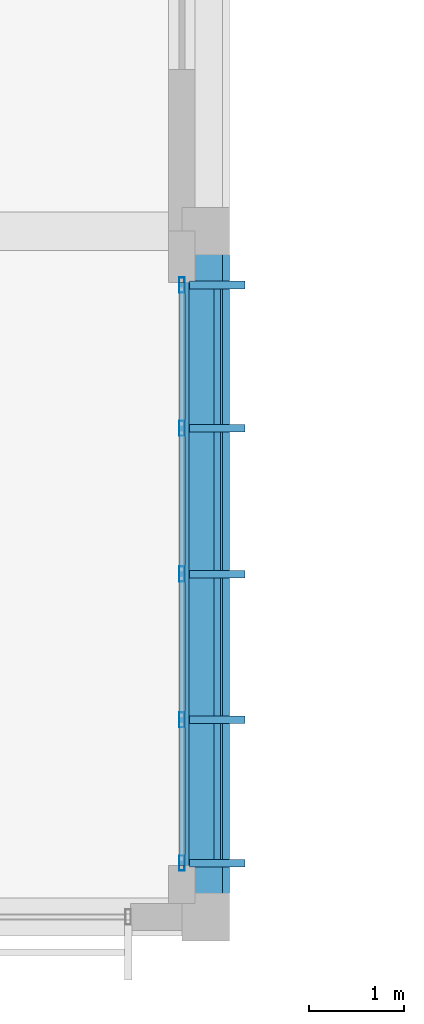
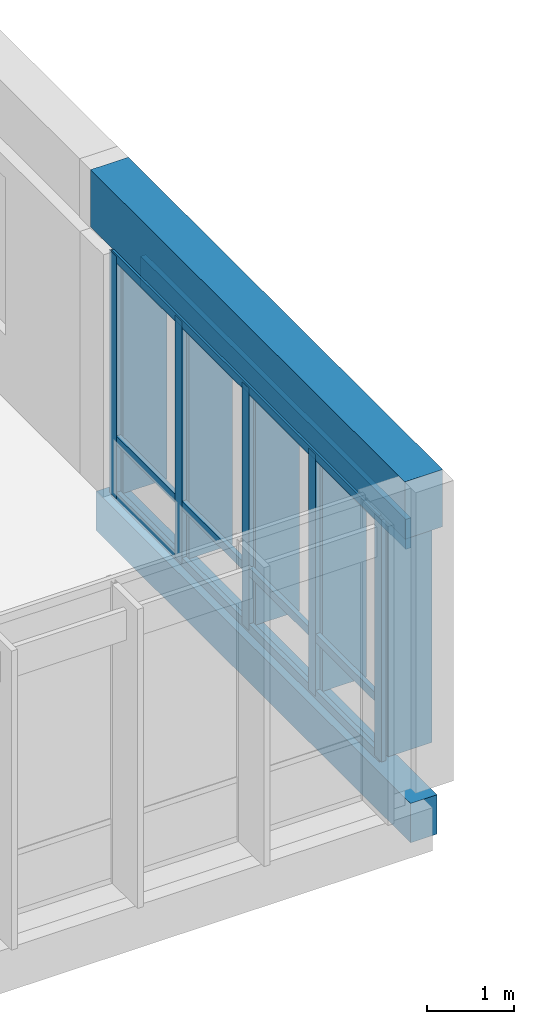
# One storey, part 27 of 182: 14 members, 2 beams, 1 element without a shape of its own.
"""IFC4 building model written with IfcOpenShell, lengths in metres."""

from ifc_helpers import new_model, si_unit, direction, frame, origin, origin_2d, place, context, subcontext, project, spatial, rectangle, hollow_rectangle, extrude, material, material_profile, profile_set, type_object, element, aggregate, save


model = new_model("IFC4")

# Units and contexts
model_context = context("Model", 3, precision=1e-05, world=origin(), true_north=direction((0.0, 1.0)))
body_context = subcontext(model_context, "Body", "Model", "MODEL_VIEW")
ifc_project = project(units=[si_unit("LENGTHUNIT", "METRE"), si_unit("AREAUNIT", "SQUARE_METRE"), si_unit("VOLUMEUNIT", "CUBIC_METRE"), si_unit("PLANEANGLEUNIT", "RADIAN"), si_unit("MASSUNIT", "GRAM", prefix="KILO")], contexts=[model_context])

# Site, building, storey
site_placement = place(None, origin())
site = spatial("IfcSite", under=ifc_project, at=site_placement, CompositionType="ELEMENT")
building_placement = place(site_placement, origin())
building = spatial("IfcBuilding", under=site, at=building_placement, Name="Chiffa Square Polytechnic", CompositionType="ELEMENT")
storey_placement = place(building_placement, frame((0.0, 0.0, 9.60009765625)))
storey = spatial("IfcBuildingStorey", under=building, at=storey_placement, Name="L02", CompositionType="ELEMENT", Elevation=9.60009765625)

# Beams
ifc_material_1 = material(Name="Concrete C35/45", Category="concrete")
ifc_material_profile_1 = material_profile(ifc_material_1, rectangle(XDim=0.35009765625, YDim=0.550048828125, at=origin_2d()), Name="RC 350x550")
ifc_profile_set_1 = profile_set([ifc_material_profile_1], Name="Concrete C35/45")
beam_type_1 = type_object("IfcBeamType", Name="BM-RC-350X550", PredefinedType="BEAM", material=ifc_profile_set_1)
beam_1_placement = place(storey_placement, frame((48.0, 0.0, -0.59521484375), z_axis=(0.0, 1.0, 0.0), x_axis=(-1.0, 0.0, 0.0)))
element("IfcBeam", 1, at=beam_1_placement, inside=storey, type_object=beam_type_1, Name="Primary floor girder BM-V3-L02-Y-0480-0000", PredefinedType="BEAM", context=body_context, shape_type="SweptSolid", body=[
    extrude(rectangle(XDim=0.35009765625, YDim=0.550048828125, at=origin_2d()), origin(), (0.0, 0.0, 1.0), 7.199951171875),
])
ifc_material_2 = material(Name="Concrete C40/50", Category="concrete")
ifc_material_profile_2 = material_profile(ifc_material_2, rectangle(XDim=0.5, YDim=0.800048828125, at=origin_2d()), Name="RC 500x800")
ifc_profile_set_2 = profile_set([ifc_material_profile_2], Name="Concrete C40/50")
beam_type_2 = type_object("IfcBeamType", Name="BM-RC-500X800", PredefinedType="BEAM", material=ifc_profile_set_2)
beam_2_placement = place(storey_placement, frame((48.0, 0.0, 3.7998046875), z_axis=(0.0, 1.0, 0.0), x_axis=(-1.0, 0.0, 0.0)))
element("IfcBeam", 2, at=beam_2_placement, inside=storey, type_object=beam_type_2, Name="Lecture east eave ring beam BM-V3-EAVTIE-E1", PredefinedType="BEAM", context=body_context, shape_type="SweptSolid", body=[
    extrude(rectangle(XDim=0.5, YDim=0.800048828125, at=origin_2d()), origin(), (0.0, 0.0, 1.0), 7.199951171875),
])

# Curtain wall, members
ifc_material_3 = material(Name="Aluminium EN AW-6060 T66 and glulam shading", Category="wood")
curtain_wall_type = type_object("IfcCurtainWallType", Name="CW-VERT-600X440", PredefinedType="USERDEFINED", material=ifc_material_3)
curtain_wall_placement = place(storey_placement, origin())
curtain_wall = element("IfcCurtainWall", 3, at=curtain_wall_placement, inside=storey, type_object=curtain_wall_type, Name="Curtain wall CW-V3-L02-169", ObjectType="CURTAIN WALL", PredefinedType="USERDEFINED")
ifc_material_4 = material(Name="Aluminium EN AW-6060 T66", Category="aluminium")
ifc_material_profile_3 = material_profile(ifc_material_4, hollow_rectangle(XDim=0.06005859375, YDim=0.159912109375, WallThickness=0.00390625, at=origin_2d()), Name="ALU 60x160x4")
ifc_profile_set_3 = profile_set([ifc_material_profile_3], Name="Aluminium EN AW-6060 T66")
member_type_1 = type_object("IfcMemberType", Name="CWM-ALU-65X150", PredefinedType="MULLION", material=ifc_profile_set_3)
member_1_placement = place(storey_placement, frame((47.75, 0.56494140625, 0.0), z_axis=(0.0, 0.0, 1.0), x_axis=(1.0, 0.0, 0.0)))
member_1 = element("IfcMember", 4, at=member_1_placement, type_object=member_type_1, Name="Curtain wall mullion CW-V3-L02-169-M00", PredefinedType="MULLION", context=body_context, shape_type="SweptSolid", body=[
    extrude(hollow_rectangle(XDim=0.06005859375, YDim=0.159912109375, WallThickness=0.00390625, at=origin_2d()), origin(), (0.0, 0.0, 1.0), 3.385009765625),
])
member_2_placement = place(storey_placement, frame((47.75, 2.070068359375, 0.0), z_axis=(0.0, 0.0, 1.0), x_axis=(1.0, 0.0, 0.0)))
member_2 = element("IfcMember", 5, at=member_2_placement, type_object=member_type_1, Name="Curtain wall mullion CW-V3-L02-169-M01", PredefinedType="MULLION", context=body_context, shape_type="SweptSolid", body=[
    extrude(hollow_rectangle(XDim=0.06005859375, YDim=0.159912109375, WallThickness=0.00390625, at=origin_2d()), origin(), (0.0, 0.0, 1.0), 3.385009765625),
])
member_3_placement = place(storey_placement, frame((47.75, 3.60009765625, 0.0), z_axis=(0.0, 0.0, 1.0), x_axis=(1.0, 0.0, 0.0)))
member_3 = element("IfcMember", 6, at=member_3_placement, type_object=member_type_1, Name="Curtain wall mullion CW-V3-L02-169-M02", PredefinedType="MULLION", context=body_context, shape_type="SweptSolid", body=[
    extrude(hollow_rectangle(XDim=0.06005859375, YDim=0.159912109375, WallThickness=0.00390625, at=origin_2d()), origin(), (0.0, 0.0, 1.0), 3.385009765625),
])
member_4_placement = place(storey_placement, frame((47.75, 5.1298828125, 0.0), z_axis=(0.0, 0.0, 1.0), x_axis=(1.0, 0.0, 0.0)))
member_4 = element("IfcMember", 7, at=member_4_placement, type_object=member_type_1, Name="Curtain wall mullion CW-V3-L02-169-M03", PredefinedType="MULLION", context=body_context, shape_type="SweptSolid", body=[
    extrude(hollow_rectangle(XDim=0.06005859375, YDim=0.159912109375, WallThickness=0.00390625, at=origin_2d()), origin(), (0.0, 0.0, 1.0), 3.385009765625),
])
member_5_placement = place(storey_placement, frame((47.75, 6.635009765625, 0.0), z_axis=(0.0, 0.0, 1.0), x_axis=(1.0, 0.0, 0.0)))
member_5 = element("IfcMember", 8, at=member_5_placement, type_object=member_type_1, Name="Curtain wall mullion CW-V3-L02-169-M04", PredefinedType="MULLION", context=body_context, shape_type="SweptSolid", body=[
    extrude(hollow_rectangle(XDim=0.06005859375, YDim=0.159912109375, WallThickness=0.00390625, at=origin_2d()), origin(), (0.0, 0.0, 1.0), 3.385009765625),
])
ifc_material_5 = material(Name="Glulam GL28h", Category="wood")
ifc_material_profile_4 = material_profile(ifc_material_5, rectangle(XDim=0.080078125, YDim=0.580078125, at=origin_2d()), Name="GL28h 80x580")
ifc_profile_set_4 = profile_set([ifc_material_profile_4], Name="Glulam GL28h")
member_type_2 = type_object("IfcMemberType", Name="CWM-GL-80X580", PredefinedType="MULLION", material=ifc_profile_set_4)
member_6_placement = place(storey_placement, frame((48.1220703125, 0.56494140625, 0.010009765625), z_axis=(0.0, 0.0, 1.0), x_axis=(0.0, 1.0, 0.0)))
member_6 = element("IfcMember", 9, at=member_6_placement, type_object=member_type_2, Name="Exterior glulam solar fin CW-V3-L02-169-FN00", PredefinedType="MULLION", context=body_context, shape_type="SweptSolid", body=[
    extrude(rectangle(XDim=0.080078125, YDim=0.580078125, at=origin_2d()), origin(), (0.0, 0.0, 1.0), 3.364990234375),
])
member_7_placement = place(storey_placement, frame((48.1220703125, 2.070068359375, 0.010009765625), z_axis=(0.0, 0.0, 1.0), x_axis=(0.0, 1.0, 0.0)))
member_7 = element("IfcMember", 10, at=member_7_placement, type_object=member_type_2, Name="Exterior glulam solar fin CW-V3-L02-169-FN01", PredefinedType="MULLION", context=body_context, shape_type="SweptSolid", body=[
    extrude(rectangle(XDim=0.080078125, YDim=0.580078125, at=origin_2d()), origin(), (0.0, 0.0, 1.0), 3.364990234375),
])
member_8_placement = place(storey_placement, frame((48.1220703125, 3.60009765625, 0.010009765625), z_axis=(0.0, 0.0, 1.0), x_axis=(0.0, 1.0, 0.0)))
member_8 = element("IfcMember", 11, at=member_8_placement, type_object=member_type_2, Name="Exterior glulam solar fin CW-V3-L02-169-FN02", PredefinedType="MULLION", context=body_context, shape_type="SweptSolid", body=[
    extrude(rectangle(XDim=0.080078125, YDim=0.580078125, at=origin_2d()), origin(), (0.0, 0.0, 1.0), 3.364990234375),
])
member_9_placement = place(storey_placement, frame((48.1220703125, 5.1298828125, 0.010009765625), z_axis=(0.0, 0.0, 1.0), x_axis=(0.0, 1.0, 0.0)))
member_9 = element("IfcMember", 12, at=member_9_placement, type_object=member_type_2, Name="Exterior glulam solar fin CW-V3-L02-169-FN03", PredefinedType="MULLION", context=body_context, shape_type="SweptSolid", body=[
    extrude(rectangle(XDim=0.080078125, YDim=0.580078125, at=origin_2d()), origin(), (0.0, 0.0, 1.0), 3.364990234375),
])
member_10_placement = place(storey_placement, frame((48.1220703125, 6.635009765625, 0.010009765625), z_axis=(0.0, 0.0, 1.0), x_axis=(0.0, 1.0, 0.0)))
member_10 = element("IfcMember", 13, at=member_10_placement, type_object=member_type_2, Name="Exterior glulam solar fin CW-V3-L02-169-FN04", PredefinedType="MULLION", context=body_context, shape_type="SweptSolid", body=[
    extrude(rectangle(XDim=0.080078125, YDim=0.580078125, at=origin_2d()), origin(), (0.0, 0.0, 1.0), 3.364990234375),
])
ifc_material_profile_5 = material_profile(ifc_material_4, hollow_rectangle(XDim=0.06005859375, YDim=0.1201171875, WallThickness=0.00390625, at=origin_2d()), Name="ALU 60x120x4")
ifc_profile_set_5 = profile_set([ifc_material_profile_5], Name="Aluminium EN AW-6060 T66")
member_type_3 = type_object("IfcMemberType", Name="CWT-ALU-65X120", PredefinedType="USERDEFINED", material=ifc_profile_set_5)
member_11_placement = place(storey_placement, frame((47.75, 0.5380859375, 0.02978515625), z_axis=(0.0, 1.0, 0.0), x_axis=(-1.0, 0.0, 0.0)))
member_11 = element("IfcMember", 14, at=member_11_placement, type_object=member_type_3, Name="Curtain wall transom CW-V3-L02-169-T01", ObjectType="TRANSOM", PredefinedType="USERDEFINED", context=body_context, shape_type="SweptSolid", body=[
    extrude(hollow_rectangle(XDim=0.06005859375, YDim=0.1201171875, WallThickness=0.00390625, at=origin_2d()), origin(), (0.0, 0.0, 1.0), 6.1240234375),
])
member_12_placement = place(storey_placement, frame((47.75, 0.5380859375, 0.81982421875), z_axis=(0.0, 1.0, 0.0), x_axis=(-1.0, 0.0, 0.0)))
member_12 = element("IfcMember", 15, at=member_12_placement, type_object=member_type_3, Name="Curtain wall transom CW-V3-L02-169-T02", ObjectType="TRANSOM", PredefinedType="USERDEFINED", context=body_context, shape_type="SweptSolid", body=[
    extrude(hollow_rectangle(XDim=0.06005859375, YDim=0.1201171875, WallThickness=0.00390625, at=origin_2d()), origin(), (0.0, 0.0, 1.0), 6.1240234375),
])
member_13_placement = place(storey_placement, frame((47.75, 0.5380859375, 3.35498046875), z_axis=(0.0, 1.0, 0.0), x_axis=(-1.0, 0.0, 0.0)))
member_13 = element("IfcMember", 16, at=member_13_placement, type_object=member_type_3, Name="Curtain wall transom CW-V3-L02-169-T03", ObjectType="TRANSOM", PredefinedType="USERDEFINED", context=body_context, shape_type="SweptSolid", body=[
    extrude(hollow_rectangle(XDim=0.06005859375, YDim=0.1201171875, WallThickness=0.00390625, at=origin_2d()), origin(), (0.0, 0.0, 1.0), 6.1240234375),
])
ifc_material_profile_6 = material_profile(ifc_material_5, rectangle(XDim=0.070068359375, YDim=0.419921875, at=origin_2d()), Name="GL28h 70x420")
ifc_profile_set_6 = profile_set([ifc_material_profile_6], Name="Glulam GL28h")
member_type_4 = type_object("IfcMemberType", Name="CWT-GL-70X420", PredefinedType="USERDEFINED", material=ifc_profile_set_6)
member_14_placement = place(storey_placement, frame((48.1220703125, 0.56494140625, 3.0048828125), z_axis=(0.0, 1.0, 0.0), x_axis=(-1.0, 0.0, 0.0)))
member_14 = element("IfcMember", 17, at=member_14_placement, type_object=member_type_4, Name="Exterior glulam brise-soleil CW-V3-L02-169-BS01", ObjectType="TRANSOM", PredefinedType="USERDEFINED", context=body_context, shape_type="SweptSolid", body=[
    extrude(rectangle(XDim=0.070068359375, YDim=0.419921875, at=origin_2d()), origin(), (0.0, 0.0, 1.0), 6.070068359375),
])
aggregate(curtain_wall, [member_1, member_6, member_2, member_7, member_3, member_8, member_4, member_9, member_5, member_10, member_11, member_12, member_13, member_14])

save(model, "model.ifc")
